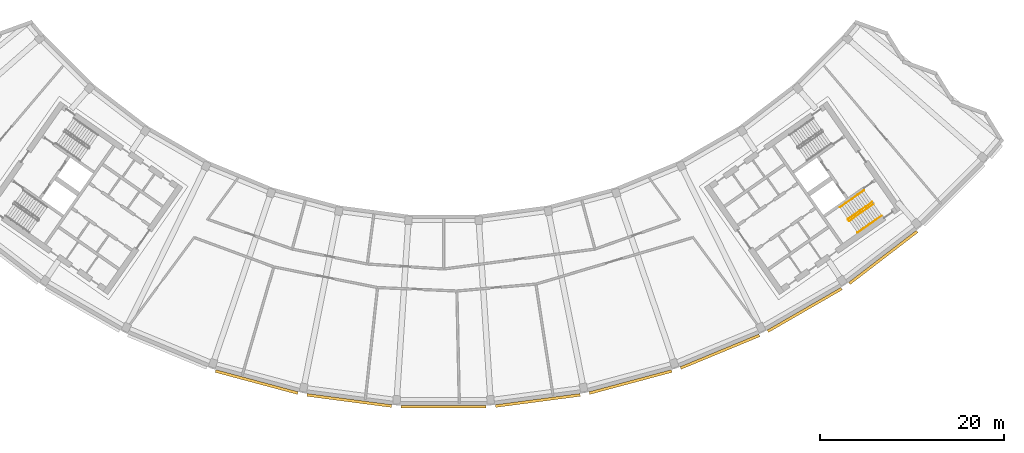
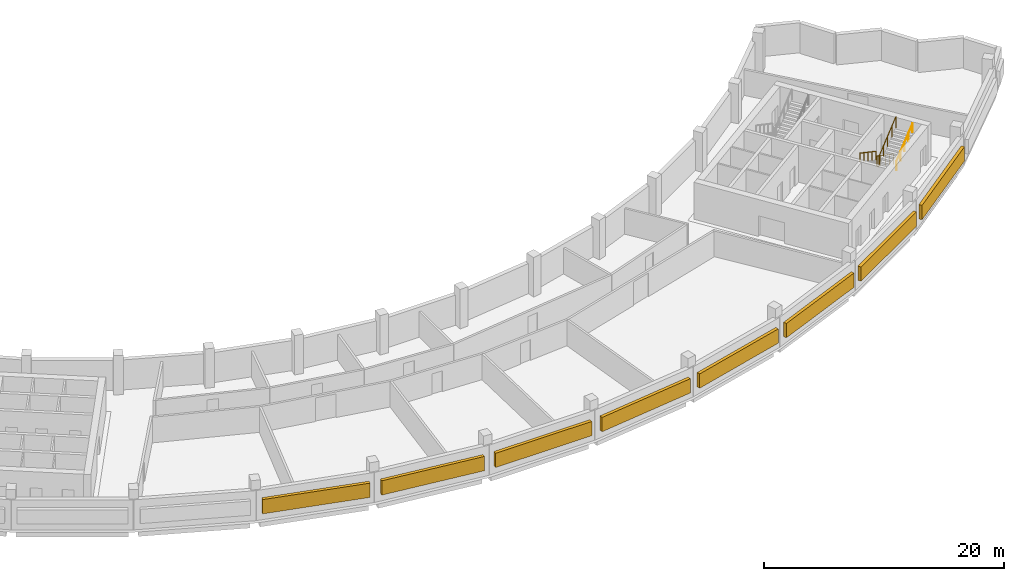
# One storey, part 10 of 11: 8 shading devices, 4 railings.
"""IFC4 building model written with IfcOpenShell, lengths in metres."""

from ifc_helpers import new_model, si_unit, direction, frame, origin, origin_2d, place, context, subcontext, project, spatial, rectangle, circle, extrude, material, type_object, element, save


model = new_model("IFC4")

# Units and contexts
model_context = context("Model", 3, precision=1e-05, world=origin(), true_north=direction((0.0, 1.0)))
body_context = subcontext(model_context, "Body", "Model", "MODEL_VIEW")
ifc_project = project(units=[si_unit("LENGTHUNIT", "METRE"), si_unit("AREAUNIT", "SQUARE_METRE"), si_unit("VOLUMEUNIT", "CUBIC_METRE"), si_unit("PLANEANGLEUNIT", "RADIAN"), si_unit("MASSUNIT", "GRAM", prefix="KILO")], contexts=[model_context])

# Site, building, storey
site_placement = place(None, origin())
site = spatial("IfcSite", under=ifc_project, at=site_placement, CompositionType="ELEMENT")
building_placement = place(site_placement, origin())
building = spatial("IfcBuilding", under=site, at=building_placement, Name="Qamariyya Broadcast Tower", CompositionType="ELEMENT")
storey_placement = place(building_placement, frame((0.0, 0.0, 294.699951171875)))
storey = spatial("IfcBuildingStorey", under=building, at=storey_placement, Name="L71", CompositionType="ELEMENT", Elevation=294.699951171875)

# Railings
ifc_material_1 = material(Name="Painted steel", Category="steel")
railing_type_1 = type_object("IfcRailingType", Name="Stair guard", PredefinedType="GUARDRAIL", material=ifc_material_1)
railing_1_placement = place(storey_placement, frame((46.48095703125, -56.14306640625, 0.166748046875)))
element("IfcRailing", 1, at=railing_1_placement, inside=storey, type_object=railing_type_1, Name="L71 ST-E1 stair guard 1", PredefinedType="GUARDRAIL", context=body_context, shape_type="SweptSolid", body=[
    extrude(circle(Radius=0.02392578125, at=origin_2d()), frame((0.0, 0.0, 1.076171875), z_axis=(-0.710227693972, -0.497285465629, 0.498280832854), x_axis=(0.573559936391, -0.819163597438, 0.0)), (0.0, 0.0, 1.0), 3.67919921875),
    extrude(circle(Radius=0.02392578125, at=origin_2d()), frame((-2.613037109375, -1.82958984375, 2.9091796875), z_axis=(-0.176149252506, -0.984363469884, 0.0), x_axis=(0.984363469884, -0.176149252506, 0.0)), (0.0, 0.0, 1.0), 0.07080078125),
    extrude(circle(Radius=0.02392578125, at=origin_2d()), frame((-2.62548828125, -1.899169921875, 2.9091796875), z_axis=(0.57368046593, -0.819079192149, 0.0), x_axis=(0.819079192149, 0.57368046593, 0.0)), (0.0, 0.0, 1.0), 0.150146484375),
    extrude(circle(Radius=0.02099609375, at=origin_2d()), origin(), (0.0, 0.0, 1.0), 1.052001953125),
    extrude(circle(Radius=0.02099609375, at=origin_2d()), frame((-0.6533203125, -0.45751953125, 0.458251953125)), (0.0, 0.0, 1.0), 1.052001953125),
    extrude(circle(Radius=0.02099609375, at=origin_2d()), frame((-1.306640625, -0.914794921875, 0.91650390625)), (0.0, 0.0, 1.0), 1.052001953125),
    extrude(circle(Radius=0.02099609375, at=origin_2d()), frame((-1.959716796875, -1.3720703125, 1.375)), (0.0, 0.0, 1.0), 1.052001953125),
    extrude(circle(Radius=0.02099609375, at=origin_2d()), frame((-2.613037109375, -1.82958984375, 1.833251953125)), (0.0, 0.0, 1.0), 1.052001953125),
    extrude(circle(Radius=0.02099609375, at=origin_2d()), frame((-2.62548828125, -1.899169921875, 1.833251953125)), (0.0, 0.0, 1.0), 1.052001953125),
    extrude(circle(Radius=0.02099609375, at=origin_2d()), frame((-2.539306640625, -2.022216796875, 1.833251953125)), (0.0, 0.0, 1.0), 1.052001953125),
])
railing_2_placement = place(storey_placement, frame((44.01123046875, -58.177490234375, 2.166748046875)))
element("IfcRailing", 2, at=railing_2_placement, inside=storey, type_object=railing_type_1, Name="L71 ST-E1 stair guard 2", PredefinedType="GUARDRAIL", context=body_context, shape_type="SweptSolid", body=[
    extrude(circle(Radius=0.02392578125, at=origin_2d()), frame((0.0, 0.0, 1.076171875), z_axis=(0.710204256923, 0.497335411159, 0.498264389913), x_axis=(-0.573611290809, 0.819127637829, 0.0)), (0.0, 0.0, 1.0), 3.67919921875),
    extrude(circle(Radius=0.02099609375, at=origin_2d()), origin(), (0.0, 0.0, 1.0), 1.052001953125),
    extrude(circle(Radius=0.02099609375, at=origin_2d()), frame((0.6533203125, 0.45751953125, 0.458251953125)), (0.0, 0.0, 1.0), 1.052001953125),
    extrude(circle(Radius=0.02099609375, at=origin_2d()), frame((1.306640625, 0.9150390625, 0.91650390625)), (0.0, 0.0, 1.0), 1.052001953125),
    extrude(circle(Radius=0.02099609375, at=origin_2d()), frame((1.959716796875, 1.372314453125, 1.375)), (0.0, 0.0, 1.0), 1.052001953125),
    extrude(circle(Radius=0.02099609375, at=origin_2d()), frame((2.613037109375, 1.829833984375, 1.833251953125)), (0.0, 0.0, 1.0), 1.052001953125),
])
ifc_material_2 = material(Name="Stainless steel", Category="steel")
railing_type_2 = type_object("IfcRailingType", Name="Stair handrail", PredefinedType="HANDRAIL", material=ifc_material_2)
railing_3_placement = place(storey_placement, frame((45.591796875, -54.873291015625, 0.166748046875)))
element("IfcRailing", 3, at=railing_3_placement, inside=storey, type_object=railing_type_2, Name="L71 ST-E1 stair handrail 1", PredefinedType="HANDRAIL", context=body_context, shape_type="SweptSolid", body=[
    extrude(circle(Radius=0.02392578125, at=origin_2d()), frame((0.0, 0.0, 0.8759765625), z_axis=(-0.710227693972, -0.497285465629, 0.498280832854), x_axis=(0.573559936391, -0.819163597438, 0.0)), (0.0, 0.0, 1.0), 3.67919921875),
    extrude(circle(Radius=0.02099609375, at=origin_2d()), origin(), (0.0, 0.0, 1.0), 0.851806640625),
    extrude(circle(Radius=0.02099609375, at=origin_2d()), frame((-0.6533203125, -0.45751953125, 0.458251953125)), (0.0, 0.0, 1.0), 0.851806640625),
    extrude(circle(Radius=0.02099609375, at=origin_2d()), frame((-1.306640625, -0.914794921875, 0.91650390625)), (0.0, 0.0, 1.0), 0.851806640625),
    extrude(circle(Radius=0.02099609375, at=origin_2d()), frame((-1.959716796875, -1.3720703125, 1.375)), (0.0, 0.0, 1.0), 0.851806640625),
    extrude(circle(Radius=0.02099609375, at=origin_2d()), frame((-2.613037109375, -1.82958984375, 1.833251953125)), (0.0, 0.0, 1.0), 0.851806640625),
])
railing_4_placement = place(storey_placement, frame((44.900390625, -59.447265625, 2.166748046875)))
element("IfcRailing", 4, at=railing_4_placement, inside=storey, type_object=railing_type_2, Name="L71 ST-E1 stair handrail 2", PredefinedType="HANDRAIL", context=body_context, shape_type="SweptSolid", body=[
    extrude(circle(Radius=0.02392578125, at=origin_2d()), frame((0.0, 0.0, 0.8759765625), z_axis=(0.710204256923, 0.497335411159, 0.498264389913), x_axis=(-0.573611290809, 0.819127637829, 0.0)), (0.0, 0.0, 1.0), 3.67919921875),
    extrude(circle(Radius=0.02099609375, at=origin_2d()), origin(), (0.0, 0.0, 1.0), 0.851806640625),
    extrude(circle(Radius=0.02099609375, at=origin_2d()), frame((0.6533203125, 0.45751953125, 0.458251953125)), (0.0, 0.0, 1.0), 0.851806640625),
    extrude(circle(Radius=0.02099609375, at=origin_2d()), frame((1.306640625, 0.9150390625, 0.91650390625)), (0.0, 0.0, 1.0), 0.851806640625),
    extrude(circle(Radius=0.02099609375, at=origin_2d()), frame((1.959716796875, 1.372314453125, 1.375)), (0.0, 0.0, 1.0), 0.851806640625),
    extrude(circle(Radius=0.02099609375, at=origin_2d()), frame((2.613037109375, 1.829833984375, 1.833251953125)), (0.0, 0.0, 1.0), 0.851806640625),
])

# Shading devices
ifc_material_3 = material(Name="Glazed terracotta", Category="masonry")
shading_device_type = type_object("IfcShadingDeviceType", Name="Terracotta louvre bank", PredefinedType="USERDEFINED", material=ifc_material_3)
for number, where, z_axis, x_axis, name in (
    (5, (-20.27392578125, -75.6630859375, 0.80029296875), (0.0, 0.0, 1.0), (0.965925826289, -0.258819045103, 0.0), "e-lv-L71-05"),
    (6, (-10.224365234375, -77.662109375, 0.80029296875), (0.0, 0.0, 1.0), (0.991444861374, -0.13052619222, 0.0), "e-lv-L71-06"),
    (7, (0.0, -78.332275390625, 0.80029296875), (0.0, 0.0, 1.0), (1.0, 0.0, 0.0), "e-lv-L71-07"),
    (8, (10.224365234375, -77.662109375, 0.80029296875), (0.0, 0.0, 1.0), (0.991444861374, 0.13052619222, 0.0), "e-lv-L71-08"),
    (9, (20.27392578125, -75.6630859375, 0.80029296875), (0.0, 0.0, 1.0), (0.965925826289, 0.258819045103, 0.0), "e-lv-L71-09"),
    (10, (29.9765625, -72.36962890625, 0.80029296875), (0.0, 0.0, 1.0), (0.923879532511, 0.382683432365, 0.0), "e-lv-L71-10"),
    (11, (39.166015625, -67.837646484375, 0.80029296875), (0.0, 0.0, 1.0), (0.866025403784, 0.5, 0.0), "e-lv-L71-11"),
    (12, (47.685546875, -62.145263671875, 0.80029296875), (0.0, 0.0, 1.0), (0.793353340291, 0.608761429009, 0.0), "e-lv-L71-12"),
):
    element("IfcShadingDevice", number, at=place(storey_placement, frame(where, z_axis=z_axis, x_axis=x_axis)), inside=storey, type_object=shading_device_type, Name=name, ObjectType="LOUVRE", PredefinedType="USERDEFINED", context=body_context, shape_type="SweptSolid", body=[
        extrude(rectangle(XDim=9.248779296875, YDim=0.300048828125, at=origin_2d()), origin(), (0.0, 0.0, 1.0), 1.449951171875),
    ])

save(model, "model.ifc")
